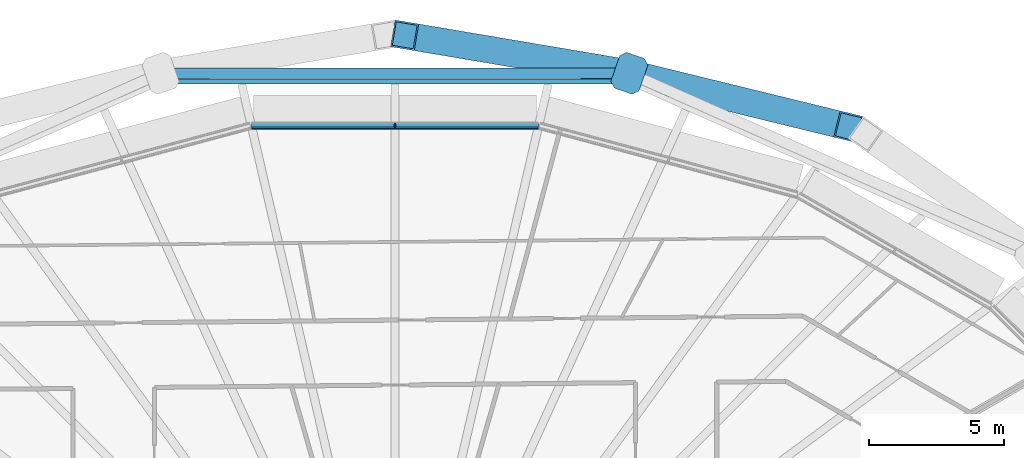
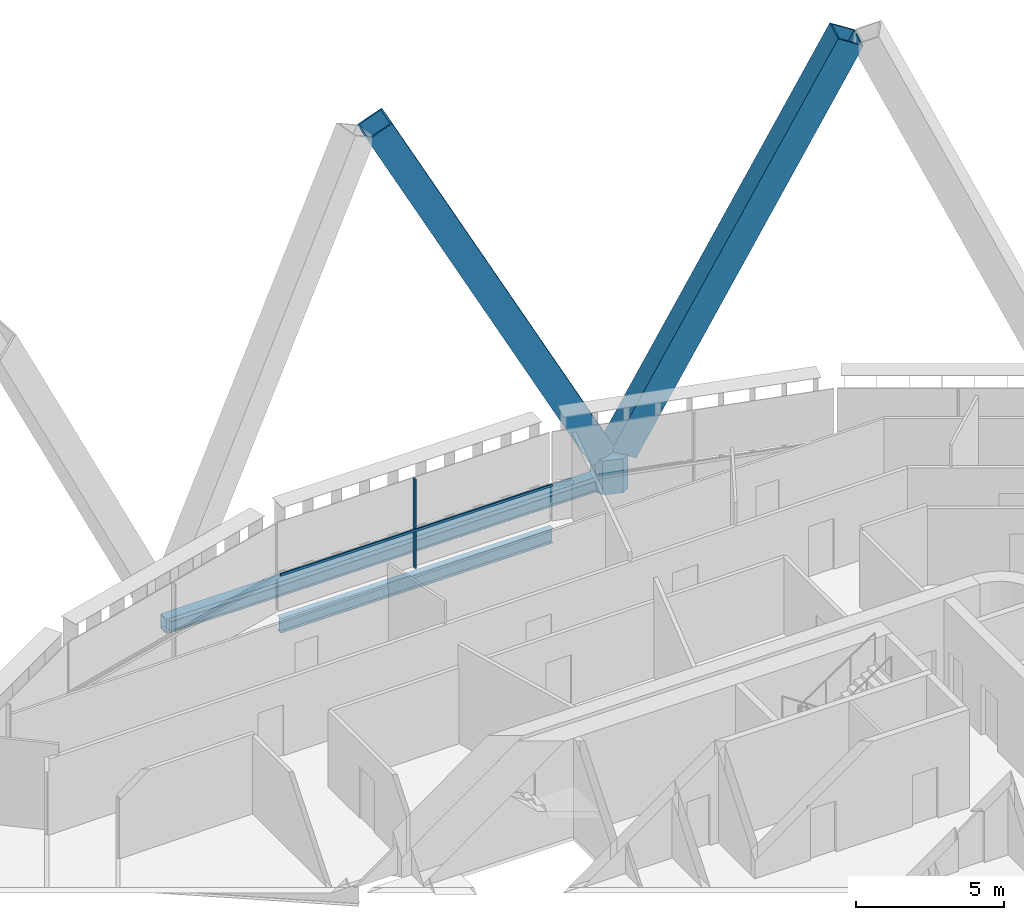
# One storey, part 11 of 25: 5 members, 3 beams, 1 element without a shape of its own.
"""IFC4 building model written with IfcOpenShell, lengths in metres."""

from ifc_helpers import new_model, si_unit, direction, frame, origin, origin_2d, place, context, subcontext, project, spatial, polyline, rectangle, hollow_rectangle, i_section, outline, extrude, material, layer, layer_set, material_profile, profile_set, type_object, element, aggregate, save


model = new_model("IFC4")

# Units and contexts
model_context = context("Model", 3, precision=1e-05, world=origin(), true_north=direction((0.0, 1.0)))
body_context = subcontext(model_context, "Body", "Model", "MODEL_VIEW")
ifc_project = project(units=[si_unit("LENGTHUNIT", "METRE"), si_unit("AREAUNIT", "SQUARE_METRE"), si_unit("VOLUMEUNIT", "CUBIC_METRE"), si_unit("PLANEANGLEUNIT", "RADIAN"), si_unit("MASSUNIT", "GRAM", prefix="KILO")], contexts=[model_context])

# Site, building, storey
site_placement = place(None, origin())
site = spatial("IfcSite", under=ifc_project, at=site_placement, CompositionType="ELEMENT")
building_placement = place(site_placement, origin())
building = spatial("IfcBuilding", under=site, at=building_placement, Name="Sahrelin Media Tower", CompositionType="ELEMENT")
storey_placement = place(building_placement, frame((0.0, 0.0, 63.0)))
storey = spatial("IfcBuildingStorey", under=building, at=storey_placement, Name="L10", CompositionType="ELEMENT", Elevation=63.0)

# Members
ifc_material_1 = material(Name="Steel S460", Category="steel")
ifc_material_profile_1 = material_profile(ifc_material_1, hollow_rectangle(XDim=1.0, YDim=1.0, WallThickness=0.06005859375, at=origin_2d()), Name="Diagrid diagonal DG1")
ifc_profile_set_1 = profile_set([ifc_material_profile_1], Name="Steel S460")
member_type_1 = type_object("IfcMemberType", Name="Diagrid diagonal DG1", PredefinedType="BRACE", material=ifc_profile_set_1)
member_1_placement = place(storey_placement, frame((9.020263671875, 24.81298828125, 0.699951171875), z_axis=(0.447007252146, -0.109235910573, 0.887835588592), x_axis=(0.237386385551, 0.971415309718, 0.0)))
element("IfcMember", 1, at=member_1_placement, inside=storey, type_object=member_type_1, Name="Diagrid diagonal D01-04", PredefinedType="BRACE", context=body_context, shape_type="SweptSolid", body=[
    extrude(hollow_rectangle(XDim=1.0, YDim=1.0, WallThickness=0.06005859375, at=origin_2d()), origin(), (0.0, 0.0, 1.0), 17.345703125),
])
member_2_placement = place(storey_placement, frame((8.306640625, 24.960205078125, 0.699951171875), z_axis=(-0.457140164592, 0.077255212944, 0.886033014052), x_axis=(-0.166633999123, -0.986018818449, 0.0)))
element("IfcMember", 2, at=member_2_placement, inside=storey, type_object=member_type_1, Name="Diagrid diagonal D01-05", PredefinedType="BRACE", context=body_context, shape_type="SweptSolid", body=[
    extrude(hollow_rectangle(XDim=1.0, YDim=1.0, WallThickness=0.06005859375, at=origin_2d()), origin(), (0.0, 0.0, 1.0), 17.381103515625),
])
ifc_material_profile_2 = material_profile(ifc_material_1, outline(polyline([(0.5, -0.550048828125), (0.699951171875, -0.35009765625), (0.699951171875, 0.35009765625), (0.5, 0.550048828125), (-0.5, 0.550048828125), (-0.699951171875, 0.35009765625), (-0.699951171875, -0.35009765625), (-0.5, -0.550048828125), (0.5, -0.550048828125)])), Name="Diagrid node block 1400")
ifc_profile_set_2 = profile_set([ifc_material_profile_2], Name="Steel S460")
member_type_2 = type_object("IfcMemberType", Name="Diagrid node block 1400", PredefinedType="USERDEFINED", material=ifc_profile_set_2)
member_3_placement = place(storey_placement, frame((8.66796875, 24.899169921875, -0.699951171875), z_axis=(0.0, 0.0, 1.0), x_axis=(0.328769398381, 0.944410230085, 0.0)))
element("IfcMember", 3, at=member_3_placement, inside=storey, type_object=member_type_2, Name="Diagrid node N01-02", ObjectType="NODE", PredefinedType="USERDEFINED", context=body_context, shape_type="SweptSolid", body=[
    extrude(outline(polyline([(0.5, -0.550048828125), (0.699951171875, -0.35009765625), (0.699951171875, 0.35009765625), (0.5, 0.550048828125), (-0.5, 0.550048828125), (-0.699951171875, 0.35009765625), (-0.699951171875, -0.35009765625), (-0.5, -0.550048828125), (0.5, -0.550048828125)])), origin(), (0.0, 0.0, 1.0), 1.39990234375),
])

# Beams
ifc_material_profile_3 = material_profile(ifc_material_1, hollow_rectangle(XDim=0.39990234375, YDim=0.60009765625, WallThickness=0.030029296875, at=origin_2d()), Name="Diagrid ring beam RB1")
ifc_profile_set_3 = profile_set([ifc_material_profile_3], Name="Steel S460")
beam_type_1 = type_object("IfcBeamType", Name="Diagrid ring beam RB1", PredefinedType="BEAM", material=ifc_profile_set_3)
beam_1_placement = place(storey_placement, frame((8.66796875, 24.899169921875, -0.449951171875), z_axis=(-1.0, 0.0, 0.0), x_axis=(0.0, -1.0, 0.0)))
element("IfcBeam", 4, at=beam_1_placement, inside=storey, type_object=beam_type_1, Name="Diagrid ring beam RB01-02", PredefinedType="BEAM", context=body_context, shape_type="SweptSolid", body=[
    extrude(hollow_rectangle(XDim=0.39990234375, YDim=0.60009765625, WallThickness=0.030029296875, at=origin_2d()), origin(), (0.0, 0.0, 1.0), 17.3359375),
])
ifc_material_2 = material(Name="Steel S355", Category="steel")
ifc_material_profile_4 = material_profile(ifc_material_2, i_section(OverallWidth=0.2275390625, OverallDepth=0.6025390625, WebThickness=0.010498046875, FlangeThickness=0.014892578125, FilletRadius=0.0126953125, at=origin_2d()), Name="UB 610x229x101")
ifc_profile_set_4 = profile_set([ifc_material_profile_4], Name="Steel S355")
beam_type_2 = type_object("IfcBeamType", Name="Edge beam EB7", PredefinedType="BEAM", material=ifc_profile_set_4)
beam_2_placement = place(storey_placement, frame((-5.30419921875, 22.927490234375, -0.451416015625), z_axis=(1.0, 0.0, 0.0), x_axis=(0.0, 1.0, 0.0)))
element("IfcBeam", 5, at=beam_2_placement, inside=storey, type_object=beam_type_2, Name="Edge beam L10-19", PredefinedType="BEAM", context=body_context, shape_type="SweptSolid", body=[
    extrude(i_section(OverallWidth=0.2275390625, OverallDepth=0.6025390625, WebThickness=0.010498046875, FlangeThickness=0.014892578125, FilletRadius=0.0126953125, at=origin_2d()), origin(), (0.0, 0.0, 1.0), 10.6083984375),
])

# Curtain wall, member
ifc_material_3 = material(Name="Champagne anodised aluminium 6063-T6", Category="aluminium")
ifc_layer = layer(ifc_material_3, 0.14990234375)
ifc_layer_set = layer_set([ifc_layer], Name="Tower ribbon curtain wall")
curtain_wall_type = type_object("IfcCurtainWallType", Name="Tower ribbon curtain wall", PredefinedType="NOTDEFINED", material=ifc_layer_set)
curtain_wall_placement = place(storey_placement, frame((0.0, 23.077392578125, 0.0), z_axis=(0.0, 0.0, 1.0), x_axis=(1.0, 0.0, 0.0)))
curtain_wall = element("IfcCurtainWall", 6, at=curtain_wall_placement, inside=storey, type_object=curtain_wall_type, Name="L10:CW:L10-06", PredefinedType="NOTDEFINED")
ifc_material_profile_5 = material_profile(ifc_material_3, rectangle(XDim=0.06005859375, YDim=0.14990234375, at=origin_2d()), Name="Mullion 60x150")
ifc_profile_set_5 = profile_set([ifc_material_profile_5], Name="Champagne anodised aluminium 6063-T6")
member_type_3 = type_object("IfcMemberType", Name="Mullion 60x150 CW1", PredefinedType="MULLION", material=ifc_profile_set_5)
member_4_placement = place(storey_placement, frame((0.0, 22.982421875, 0.0), z_axis=(0.0, 0.0, 1.0), x_axis=(-1.0, 0.0, 0.0)))
member_4 = element("IfcMember", 7, at=member_4_placement, type_object=member_type_3, Name="L10:CWM:L10-06", PredefinedType="MULLION", context=body_context, shape_type="SweptSolid", body=[
    extrude(rectangle(XDim=0.06005859375, YDim=0.14990234375, at=origin_2d()), origin(), (0.0, 0.0, 1.0), 3.648681640625),
])

# Beam
ifc_material_profile_6 = material_profile(ifc_material_2, i_section(OverallWidth=0.1904296875, OverallDepth=0.45703125, WebThickness=0.009033203125, FlangeThickness=0.014404296875, FilletRadius=0.01025390625, at=origin_2d()), Name="UB 457x191x74")
ifc_profile_set_6 = profile_set([ifc_material_profile_6], Name="Steel S355")
beam_type_3 = type_object("IfcBeamType", Name="Tie chord TC5", PredefinedType="BEAM", material=ifc_profile_set_6)
beam_3_placement = place(storey_placement, frame((-8.604248046875, 24.598876953125, -0.37841796875), z_axis=(1.0, 0.0, 0.0), x_axis=(0.0, 1.0, 0.0)))
element("IfcBeam", 8, at=beam_3_placement, inside=storey, type_object=beam_type_3, Name="Tie chord L10-10", PredefinedType="BEAM", context=body_context, shape_type="SweptSolid", body=[
    extrude(i_section(OverallWidth=0.1904296875, OverallDepth=0.45703125, WebThickness=0.009033203125, FlangeThickness=0.014404296875, FilletRadius=0.01025390625, at=origin_2d()), origin(), (0.0, 0.0, 1.0), 17.20849609375),
])

# Member
ifc_material_profile_7 = material_profile(ifc_material_3, rectangle(XDim=0.050048828125, YDim=0.10009765625, at=origin_2d()), Name="Transom 50x100")
ifc_profile_set_7 = profile_set([ifc_material_profile_7], Name="Champagne anodised aluminium 6063-T6")
member_type_4 = type_object("IfcMemberType", Name="Transom 50x100 CW1", PredefinedType="USERDEFINED", material=ifc_profile_set_7)
member_5_placement = place(storey_placement, frame((5.288330078125, 22.88232421875, 1.60009765625), z_axis=(-1.0, 0.0, 0.0), x_axis=(0.0, -1.0, 0.0)))
member_5 = element("IfcMember", 9, at=member_5_placement, type_object=member_type_4, Name="L10:CWT:L10-06", ObjectType="TRANSOM", PredefinedType="USERDEFINED", context=body_context, shape_type="SweptSolid", body=[
    extrude(rectangle(XDim=0.050048828125, YDim=0.10009765625, at=origin_2d()), origin(), (0.0, 0.0, 1.0), 10.57666015625),
])

aggregate(curtain_wall, [member_4, member_5])

save(model, "model.ifc")
